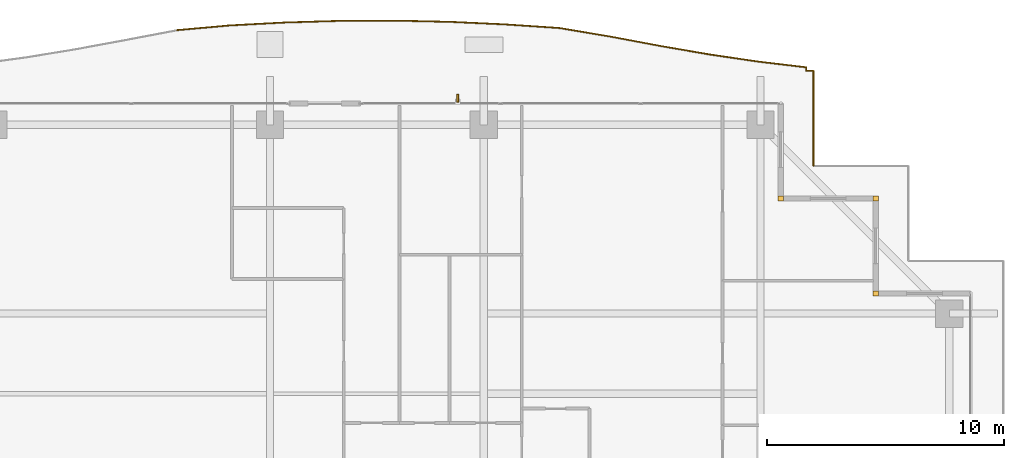
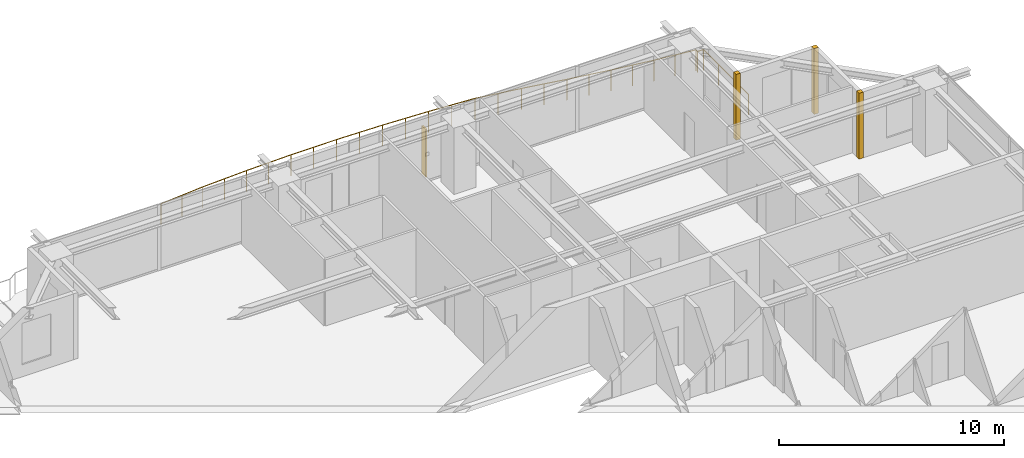
# One storey, part 40 of 40: 3 coverings, 2 railings, 1 shading device.
"""IFC4 building model written with IfcOpenShell, lengths in metres."""

from ifc_helpers import new_model, si_unit, direction, frame, origin, origin_2d, place, context, subcontext, project, spatial, rectangle, circle, extrude, source, transform, mapped, material, layer, layer_set, type_object, element, save


model = new_model("IFC4")

# Units and contexts
model_context = context("Model", 3, precision=1e-05, world=origin(), true_north=direction((0.0, 1.0)))
body_context = subcontext(model_context, "Body", "Model", "MODEL_VIEW")
ifc_project = project(units=[si_unit("LENGTHUNIT", "METRE"), si_unit("AREAUNIT", "SQUARE_METRE"), si_unit("VOLUMEUNIT", "CUBIC_METRE"), si_unit("PLANEANGLEUNIT", "RADIAN"), si_unit("MASSUNIT", "GRAM", prefix="KILO")], contexts=[model_context])

# Site, building, storey
site_placement = place(None, origin())
site = spatial("IfcSite", under=ifc_project, at=site_placement, CompositionType="ELEMENT")
building_placement = place(site_placement, origin())
building = spatial("IfcBuilding", under=site, at=building_placement, Name="Serunith Strait Residences", CompositionType="ELEMENT")
storey_placement = place(building_placement, frame((0.0, 0.0, 252.800048828125)))
storey = spatial("IfcBuildingStorey", under=building, at=storey_placement, Name="L63", CompositionType="ELEMENT", Elevation=252.800048828125)

# Railings
ifc_material_1 = material(Name="Stainless Steel & Laminated Glass Balustrade", Category="steel")
railing_type = type_object("IfcRailingType", Name="RLG-BALC-1150", PredefinedType="BALUSTRADE", material=ifc_material_1)
railing_1_placement = place(storey_placement, frame((23.9365234375, 52.282958984375, -0.050048828125)))
element("IfcRailing", 1, at=railing_1_placement, inside=storey, type_object=railing_type, Name="L63 Swirling Balcony Perimeter Balustrade 5", PredefinedType="BALUSTRADE", context=body_context, shape_type="SweptSolid", body=[
    extrude(circle(Radius=0.02392578125, at=origin_2d()), frame((0.001953125, 0.000244140625, 1.1259765625), z_axis=(0.995977514995, 0.08960351346, 0.0), x_axis=(-0.08960351346, 0.995977514995, 0.0)), (0.0, 0.0, 1.0), 2.262939453125),
    extrude(circle(Radius=0.02392578125, at=origin_2d()), frame((2.259765625, 0.203125, 1.1259765625), z_axis=(0.998576599286, 0.05333643557, 0.0), x_axis=(-0.05333643557, 0.998576599286, 0.0)), (0.0, 0.0, 1.0), 2.302978515625),
    extrude(circle(Radius=0.02392578125, at=origin_2d()), frame((4.5634765625, 0.326171875, 1.1259765625), z_axis=(0.999550366368, 0.029984414179, 0.0), x_axis=(-0.029984414179, 0.999550366368, 0.0)), (0.0, 0.0, 1.0), 2.32470703125),
    extrude(circle(Radius=0.02392578125, at=origin_2d()), frame((6.89111328125, 0.39599609375, 1.1259765625), z_axis=(0.999991275993, 0.004177072999, 0.0), x_axis=(-0.004177072999, 0.999991275993, 0.0)), (0.0, 0.0, 1.0), 2.333984375),
    extrude(circle(Radius=0.02392578125, at=origin_2d()), frame((9.22900390625, 0.40576171875, 1.1259765625), z_axis=(0.999756215771, -0.022079606607, 0.0), x_axis=(0.022079606607, 0.999756215771, 0.0)), (0.0, 0.0, 1.0), 2.3291015625),
    extrude(circle(Radius=0.02392578125, at=origin_2d()), frame((11.5615234375, 0.354248046875, 1.1259765625), z_axis=(0.998928151018, -0.046287677675, 0.0), x_axis=(0.046287677675, 0.998928151018, 0.0)), (0.0, 0.0, 1.0), 2.3115234375),
    extrude(circle(Radius=0.02392578125, at=origin_2d()), frame((13.87451171875, 0.246826171875, 1.1259765625), z_axis=(0.997749584356, -0.067050480361, 0.0), x_axis=(0.067050480361, 0.997749584356, 0.0)), (0.0, 0.0, 1.0), 2.28271484375),
    extrude(circle(Radius=0.02392578125, at=origin_2d()), frame((16.156005859375, 0.093505859375, 1.1259765625), z_axis=(0.986147759844, -0.165869212802, 0.0), x_axis=(0.165869212802, 0.986147759844, 0.0)), (0.0, 0.0, 1.0), 2.203857421875),
    extrude(circle(Radius=0.02099609375, at=origin_2d()), origin(), (0.0, 0.0, 1.0), 1.099853515625),
    extrude(circle(Radius=0.02099609375, at=origin_2d()), frame((1.12890625, 0.1015625, 0.0)), (0.0, 0.0, 1.0), 1.099853515625),
    extrude(circle(Radius=0.02099609375, at=origin_2d()), frame((2.2578125, 0.203125, 0.0)), (0.0, 0.0, 1.0), 1.099853515625),
    extrude(circle(Radius=0.02099609375, at=origin_2d()), frame((3.40966796875, 0.2646484375, 0.0)), (0.0, 0.0, 1.0), 1.099853515625),
    extrude(circle(Radius=0.02099609375, at=origin_2d()), frame((4.5615234375, 0.326171875, 0.0)), (0.0, 0.0, 1.0), 1.099853515625),
    extrude(circle(Radius=0.02099609375, at=origin_2d()), frame((5.725341796875, 0.361083984375, 0.0)), (0.0, 0.0, 1.0), 1.099853515625),
    extrude(circle(Radius=0.02099609375, at=origin_2d()), frame((6.88916015625, 0.39599609375, 0.0)), (0.0, 0.0, 1.0), 1.099853515625),
    extrude(circle(Radius=0.02099609375, at=origin_2d()), frame((8.05810546875, 0.40087890625, 0.0)), (0.0, 0.0, 1.0), 1.099853515625),
    extrude(circle(Radius=0.02099609375, at=origin_2d()), frame((9.22705078125, 0.40576171875, 0.0)), (0.0, 0.0, 1.0), 1.099853515625),
    extrude(circle(Radius=0.02099609375, at=origin_2d()), frame((10.393310546875, 0.3798828125, 0.0)), (0.0, 0.0, 1.0), 1.099853515625),
    extrude(circle(Radius=0.02099609375, at=origin_2d()), frame((11.5595703125, 0.354248046875, 0.0)), (0.0, 0.0, 1.0), 1.099853515625),
    extrude(circle(Radius=0.02099609375, at=origin_2d()), frame((12.716064453125, 0.30078125, 0.0)), (0.0, 0.0, 1.0), 1.099853515625),
    extrude(circle(Radius=0.02099609375, at=origin_2d()), frame((13.87255859375, 0.2470703125, 0.0)), (0.0, 0.0, 1.0), 1.099853515625),
    extrude(circle(Radius=0.02099609375, at=origin_2d()), frame((15.01318359375, 0.17041015625, 0.0)), (0.0, 0.0, 1.0), 1.099853515625),
    extrude(circle(Radius=0.02099609375, at=origin_2d()), frame((16.154052734375, 0.09375, 0.0)), (0.0, 0.0, 1.0), 1.099853515625),
    extrude(circle(Radius=0.02099609375, at=origin_2d()), frame((17.24267578125, -0.08935546875, 0.0)), (0.0, 0.0, 1.0), 1.099853515625),
    extrude(circle(Radius=0.02099609375, at=origin_2d()), frame((18.331298828125, -0.2724609375, 0.0)), (0.0, 0.0, 1.0), 1.099853515625),
])
railing_2_placement = place(storey_placement, frame((42.267822265625, 52.010498046875, -0.050048828125)))
element("IfcRailing", 2, at=railing_2_placement, inside=storey, type_object=railing_type, Name="L63 Swirling Balcony Perimeter Balustrade 6", PredefinedType="BALUSTRADE", context=body_context, shape_type="SweptSolid", body=[
    extrude(circle(Radius=0.02392578125, at=origin_2d()), frame((0.001953125, -0.00048828125, 1.1259765625), z_axis=(0.982747888545, -0.184950229954, 0.0), x_axis=(0.184950229954, 0.982747888545, 0.0)), (0.0, 0.0, 1.0), 2.134521484375),
    extrude(circle(Radius=0.02392578125, at=origin_2d()), frame((2.103515625, -0.395751953125, 1.1259765625), z_axis=(0.985526910361, -0.169519051889, 0.0), x_axis=(0.169519051889, 0.985526910361, 0.0)), (0.0, 0.0, 1.0), 2.082763671875),
    extrude(circle(Radius=0.02392578125, at=origin_2d()), frame((4.16015625, -0.74951171875, 1.1259765625), z_axis=(0.989382787533, -0.145333064835, 0.0), x_axis=(0.145333064835, 0.989382787533, 0.0)), (0.0, 0.0, 1.0), 2.048828125),
    extrude(circle(Radius=0.02392578125, at=origin_2d()), frame((6.191162109375, -1.0478515625, 1.1259765625), z_axis=(0.99296680183, -0.118393118314, 0.0), x_axis=(0.118393118314, 0.99296680183, 0.0)), (0.0, 0.0, 1.0), 2.03125),
    extrude(circle(Radius=0.02392578125, at=origin_2d()), frame((8.210205078125, -1.29052734375, 1.1259765625), z_axis=(-0.008605533319, -0.999962971713, 0.0), x_axis=(0.999962971713, -0.008605533319, 0.0)), (0.0, 0.0, 1.0), 0.137939453125),
    extrude(circle(Radius=0.02392578125, at=origin_2d()), frame((8.2109375, -1.430419921875, 1.1259765625), z_axis=(1.0, 0.0, 0.0), x_axis=(0.0, 1.0, 0.0)), (0.0, 0.0, 1.0), 0.29931640625),
    extrude(circle(Radius=0.02392578125, at=origin_2d()), frame((8.51220703125, -1.432373046875, 1.1259765625), z_axis=(0.0, -1.0, 0.0), x_axis=(1.0, 0.0, 0.0)), (0.0, 0.0, 1.0), 3.99609375),
    extrude(circle(Radius=0.02099609375, at=origin_2d()), origin(), (0.0, 0.0, 1.0), 1.099853515625),
    extrude(circle(Radius=0.02099609375, at=origin_2d()), frame((1.05078125, -0.19775390625, 0.0)), (0.0, 0.0, 1.0), 1.099853515625),
    extrude(circle(Radius=0.02099609375, at=origin_2d()), frame((2.1015625, -0.3955078125, 0.0)), (0.0, 0.0, 1.0), 1.099853515625),
    extrude(circle(Radius=0.02099609375, at=origin_2d()), frame((3.1298828125, -0.572265625, 0.0)), (0.0, 0.0, 1.0), 1.099853515625),
    extrude(circle(Radius=0.02099609375, at=origin_2d()), frame((4.158203125, -0.749267578125, 0.0)), (0.0, 0.0, 1.0), 1.099853515625),
    extrude(circle(Radius=0.02099609375, at=origin_2d()), frame((5.173828125, -0.8984375, 0.0)), (0.0, 0.0, 1.0), 1.099853515625),
    extrude(circle(Radius=0.02099609375, at=origin_2d()), frame((6.189208984375, -1.047607421875, 0.0)), (0.0, 0.0, 1.0), 1.099853515625),
    extrude(circle(Radius=0.02099609375, at=origin_2d()), frame((7.19970703125, -1.16796875, 0.0)), (0.0, 0.0, 1.0), 1.099853515625),
    extrude(circle(Radius=0.02099609375, at=origin_2d()), frame((8.210205078125, -1.28857421875, 0.0)), (0.0, 0.0, 1.0), 1.099853515625),
    extrude(circle(Radius=0.02099609375, at=origin_2d()), frame((8.208984375, -1.430419921875, 0.0)), (0.0, 0.0, 1.0), 1.099853515625),
    extrude(circle(Radius=0.02099609375, at=origin_2d()), frame((8.51220703125, -1.430419921875, 0.0)), (0.0, 0.0, 1.0), 1.099853515625),
    extrude(circle(Radius=0.02099609375, at=origin_2d()), frame((8.51220703125, -2.763671875, 0.0)), (0.0, 0.0, 1.0), 1.099853515625),
    extrude(circle(Radius=0.02099609375, at=origin_2d()), frame((8.51220703125, -4.09716796875, 0.0)), (0.0, 0.0, 1.0), 1.099853515625),
    extrude(circle(Radius=0.02099609375, at=origin_2d()), frame((8.51220703125, -5.430419921875, 0.0)), (0.0, 0.0, 1.0), 1.099853515625),
])

# Shading device
ifc_material_2 = material(Name="Pale-Champagne Perforated Aluminium Fin", Category="aluminium")
shading_device_type = type_object("IfcShadingDeviceType", Name="SHD-DIAG-FIN", PredefinedType="AWNING", material=ifc_material_2)
shared_shape_1 = source(origin(), body_context, "Body", "SweptSolid", [
    extrude(rectangle(XDim=0.080078125, YDim=0.35009765625, at=origin_2d()), origin(), (0.0, 0.0, 1.0), 2.60009765625),
])
shading_device_placement = place(storey_placement, frame((35.800048828125, 49.419921875, 0.199951171875), z_axis=(0.0, 0.0, 1.0), x_axis=(1.0, 0.0, 0.0)))
element("IfcShadingDevice", 3, at=shading_device_placement, inside=storey, type_object=shading_device_type, Name="L63 Diagonal Rhythm Solar Fin N", PredefinedType="AWNING", context=body_context, shape_type="MappedRepresentation", body=[
    mapped(shared_shape_1, transform((0.0, 0.0, 0.0), scale=1.0)),
])

# Coverings
ifc_material_3 = material(Name="Pale-Champagne Anodised Aluminium", Category="aluminium")
ifc_layer = layer(ifc_material_3, 0.219970703125, Name="Pale-Champagne Anodised Aluminium")
ifc_layer_set = layer_set([ifc_layer], Name="Pale-Champagne Anodised Aluminium")
covering_type = type_object("IfcCoveringType", Name="COV-CORN-TRIM", PredefinedType="CLADDING", material=ifc_layer_set)
shared_shape_2 = source(origin(), body_context, "Body", "SweptSolid", [
    extrude(rectangle(XDim=0.221923828125, YDim=0.221923828125, at=origin_2d()), origin(), (0.0, 0.0, 1.0), 3.574951171875),
])
for number, where, z_axis, x_axis, name in (
    (4, (53.39990234375, 41.199951171875, 0.0), (0.0, 0.0, 1.0), (1.0, 0.0, 0.0), "L63 Girih Serrated Corner Trim Post 07"),
    (5, (53.39990234375, 45.199951171875, 0.0), (0.0, 0.0, 1.0), (1.0, 0.0, 0.0), "L63 Girih Serrated Corner Trim Post 08"),
    (6, (49.39990234375, 45.199951171875, 0.0), (0.0, 0.0, 1.0), (1.0, 0.0, 0.0), "L63 Girih Serrated Corner Trim Post 09"),
):
    element("IfcCovering", number, at=place(storey_placement, frame(where, z_axis=z_axis, x_axis=x_axis)), inside=storey, type_object=covering_type, Name=name, PredefinedType="CLADDING", context=body_context, shape_type="MappedRepresentation", body=[
        mapped(shared_shape_2, transform((0.0, 0.0, 0.0), scale=1.0)),
    ])

save(model, "model.ifc")
